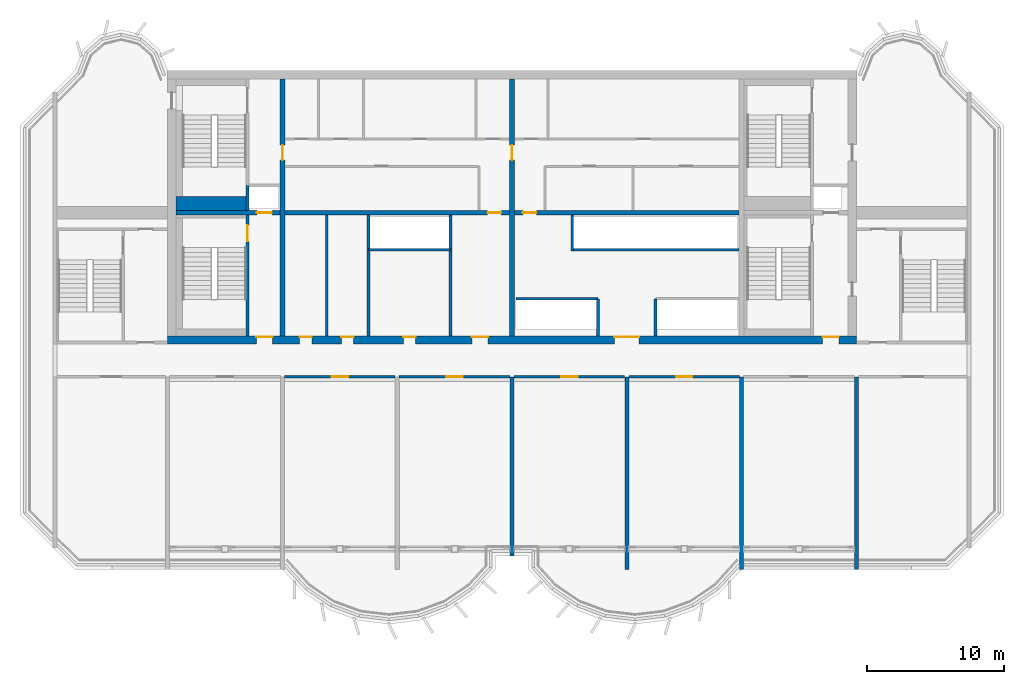
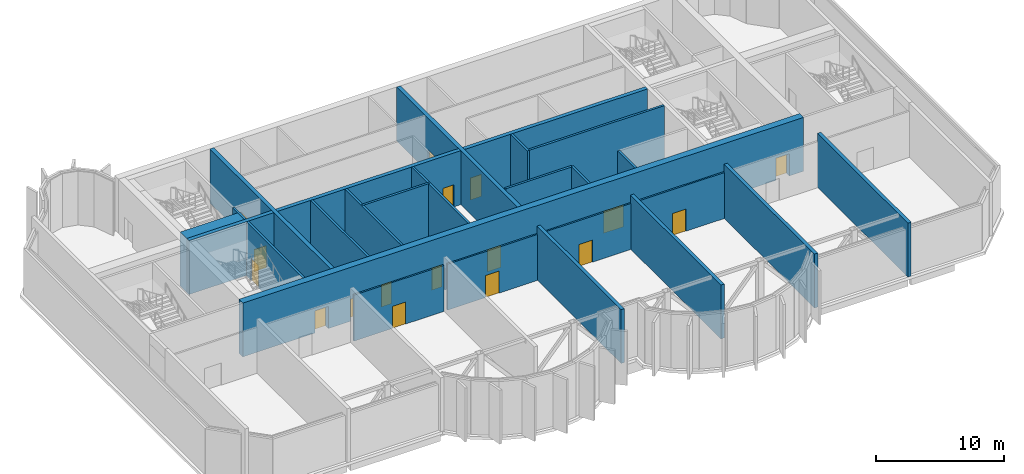
# One storey, part 3 of 11: 26 walls, 17 doors, 17 openings.
"""IFC4 building model written with IfcOpenShell, lengths in metres."""

from ifc_helpers import new_model, si_unit, direction, frame, frame_2d, origin, place, context, subcontext, project, spatial, rectangle, extrude, source, transform, mapped, material, layer, layer_set, type_object, element, fill, save


model = new_model("IFC4")

# Units and contexts
model_context = context("Model", 3, precision=1e-05, world=origin(), true_north=direction((0.0, 1.0)))
body_context = subcontext(model_context, "Body", "Model", "MODEL_VIEW")
ifc_project = project(units=[si_unit("LENGTHUNIT", "METRE"), si_unit("AREAUNIT", "SQUARE_METRE"), si_unit("VOLUMEUNIT", "CUBIC_METRE"), si_unit("PLANEANGLEUNIT", "RADIAN"), si_unit("MASSUNIT", "GRAM", prefix="KILO")], contexts=[model_context])

# Site, building, storey
site_placement = place(None, origin())
site = spatial("IfcSite", under=ifc_project, at=site_placement, CompositionType="ELEMENT")
building_placement = place(site_placement, origin())
building = spatial("IfcBuilding", under=site, at=building_placement, Name="Vanashikhar Sky Hotel", CompositionType="ELEMENT")
storey_placement = place(building_placement, frame((0.0, 0.0, 264.699951171875)))
storey = spatial("IfcBuildingStorey", under=building, at=storey_placement, Name="L64", CompositionType="ELEMENT", Elevation=264.699951171875)

# Walls
ifc_material_1 = material(Name="Concrete M60", Category="concrete")
ifc_layer_1 = layer(ifc_material_1, 0.300048828125)
ifc_layer_set_1 = layer_set([ifc_layer_1], Name="RC shear wall 300 Concrete M60")
wall_type_1 = type_object("IfcWallType", Name="RC shear wall 300 Concrete M60", PredefinedType="SHEAR", material=ifc_layer_set_1)
shared_shape_1 = source(origin(), body_context, "Body", "SweptSolid", [
    extrude(rectangle(XDim=14.10009765625, YDim=0.300048828125, at=frame_2d((7.050048828125, 0.0))), origin(), (0.0, 0.0, 1.0), 5.1201171875),
])
for number, where, z_axis, x_axis, name in (
    (1, (58.800048828125, 5.5, 0.0), (0.0, 0.0, 1.0), (0.0, 1.0, 0.0), "CW-L64-XW08-1"),
    (2, (67.199951171875, 5.5, 0.0), (0.0, 0.0, 1.0), (0.0, 1.0, 0.0), "CW-L64-XW09-1"),
    (3, (75.60009765625, 5.5, 0.0), (0.0, 0.0, 1.0), (0.0, 1.0, 0.0), "CW-L64-XW10-1"),
):
    element("IfcWall", number, at=place(storey_placement, frame(where, z_axis=z_axis, x_axis=x_axis)), inside=storey, type_object=wall_type_1, Name=name, PredefinedType="SHEAR", context=body_context, shape_type="MappedRepresentation", body=[
        mapped(shared_shape_1, transform((0.0, 0.0, 0.0), scale=1.0)),
    ])
shared_shape_2 = source(origin(), body_context, "Body", "SweptSolid", [
    extrude(rectangle(XDim=13.10009765625, YDim=0.300048828125, at=frame_2d((6.550048828125, 0.0))), origin(), (0.0, 0.0, 1.0), 5.1201171875),
])
wall_1_placement = place(storey_placement, frame((50.39990234375, 6.5, 0.0), z_axis=(0.0, 0.0, 1.0), x_axis=(0.0, 1.0, 0.0)))
element("IfcWall", 4, at=wall_1_placement, inside=storey, type_object=wall_type_1, Name="CW-L64-XW07-1", PredefinedType="SHEAR", context=body_context, shape_type="MappedRepresentation", body=[
    mapped(shared_shape_2, transform((0.0, 0.0, 0.0), scale=1.0)),
])

# Wall, openings, doors
ifc_layer_2 = layer(ifc_material_1, 0.60009765625)
ifc_layer_set_2 = layer_set([ifc_layer_2], Name="RC core shell wall 600 Concrete M60")
wall_type_2 = type_object("IfcWallType", Name="RC core shell wall 600 Concrete M60", PredefinedType="SHEAR", material=ifc_layer_set_2)
shared_shape_3 = source(origin(), body_context, "Body", "SweptSolid", [
    extrude(rectangle(XDim=50.400146484375, YDim=0.60009765625, at=frame_2d((25.2001953125, 0.0))), origin(), (0.0, 0.0, 1.0), 5.1201171875),
])
wall_2_placement = place(storey_placement, frame((25.199951171875, 22.300048828125, 0.0), z_axis=(0.0, 0.0, 1.0), x_axis=(1.0, 0.0, 0.0)))
wall_2 = element("IfcWall", 5, at=wall_2_placement, inside=storey, type_object=wall_type_2, Name="KW-L64-KS", PredefinedType="SHEAR", context=body_context, shape_type="MappedRepresentation", body=[
    mapped(shared_shape_3, transform((0.0, 0.0, 0.0), scale=1.0)),
])
shared_shape_4 = source(origin(), body_context, "Body", "SweptSolid", [
    extrude(rectangle(XDim=1.199951171875, YDim=2.10009765625, at=frame_2d((0.60009765625, 1.050048828125))), frame((0.0, 0.31005859375, 0.0), z_axis=(0.0, -1.0, 0.0), x_axis=(1.0, 0.0, 0.0)), (0.0, 0.0, 1.0), 0.6201171875),
])
opening_1_placement = place(wall_2_placement, frame((22.261962890625, 0.0, 0.0)))
opening_1 = element("IfcOpeningElement", 6, at=opening_1_placement, cuts=wall_2, Name="Opening DC-4-B", PredefinedType="OPENING", context=body_context, shape_type="MappedRepresentation", body=[
    mapped(shared_shape_4, transform((0.0, 0.0, 0.0), scale=1.0)),
])
shared_shape_5 = source(origin(), body_context, "Body", "SweptSolid", [
    extrude(rectangle(XDim=0.89990234375, YDim=2.10009765625, at=frame_2d((0.449951171875, 1.050048828125))), frame((0.0, 0.31005859375, 0.0), z_axis=(0.0, -1.0, 0.0), x_axis=(1.0, 0.0, 0.0)), (0.0, 0.0, 1.0), 0.6201171875),
])
opening_2_placement = place(wall_2_placement, frame((17.25, 0.0, 0.0)))
opening_2 = element("IfcOpeningElement", 7, at=opening_2_placement, cuts=wall_2, Name="Opening DC-4-A", PredefinedType="OPENING", context=body_context, shape_type="MappedRepresentation", body=[
    mapped(shared_shape_5, transform((0.0, 0.0, 0.0), scale=1.0)),
])
opening_3_placement = place(wall_2_placement, frame((9.656005859375, 0.0, 0.0)))
opening_3 = element("IfcOpeningElement", 8, at=opening_3_placement, cuts=wall_2, Name="Opening DC-4-A", PredefinedType="OPENING", context=body_context, shape_type="MappedRepresentation", body=[
    mapped(shared_shape_5, transform((0.0, 0.0, 0.0), scale=1.0)),
])
opening_4_placement = place(wall_2_placement, frame((12.718994140625, 0.0, 0.0)))
opening_4 = element("IfcOpeningElement", 9, at=opening_4_placement, cuts=wall_2, Name="Opening DC-4-A", PredefinedType="OPENING", context=body_context, shape_type="MappedRepresentation", body=[
    mapped(shared_shape_5, transform((0.0, 0.0, 0.0), scale=1.0)),
])
shared_shape_6 = source(origin(), body_context, "Body", "SweptSolid", [
    extrude(rectangle(XDim=1.800048828125, YDim=2.10009765625, at=frame_2d((0.89990234375, 1.050048828125))), frame((0.0, 0.31005859375, 0.0), z_axis=(0.0, -1.0, 0.0), x_axis=(1.0, 0.0, 0.0)), (0.0, 0.0, 1.0), 0.6201171875),
])
opening_5_placement = place(wall_2_placement, frame((32.699951171875, 0.0, 0.0)))
opening_5 = element("IfcOpeningElement", 10, at=opening_5_placement, cuts=wall_2, Name="Opening DC-3", PredefinedType="OPENING", context=body_context, shape_type="MappedRepresentation", body=[
    mapped(shared_shape_6, transform((0.0, 0.0, 0.0), scale=1.0)),
])
opening_6_placement = place(wall_2_placement, frame((6.488037109375, 0.0, 0.0)))
opening_6 = element("IfcOpeningElement", 11, at=opening_6_placement, cuts=wall_2, Name="Opening DC-2", PredefinedType="OPENING", context=body_context, shape_type="MappedRepresentation", body=[
    mapped(shared_shape_4, transform((0.0, 0.0, 0.0), scale=1.0)),
])
opening_7_placement = place(wall_2_placement, frame((47.925048828125, 0.0, 0.0)))
opening_7 = element("IfcOpeningElement", 12, at=opening_7_placement, cuts=wall_2, Name="Opening DC-2", PredefinedType="OPENING", context=body_context, shape_type="MappedRepresentation", body=[
    mapped(shared_shape_4, transform((0.0, 0.0, 0.0), scale=1.0)),
])
ifc_material_2 = material(Name="Steel", Category="steel")
door_type_1 = type_object("IfcDoorType", Name="Service door 1200 FD60", OperationType="NOTDEFINED", PredefinedType="DOOR", material=ifc_material_2)
shared_shape_7 = source(origin(), body_context, "Body", "SweptSolid", [
    extrude(rectangle(XDim=1.199951171875, YDim=2.10009765625, at=frame_2d((0.60009765625, 1.050048828125))), frame((0.0, 0.22509765625, 0.0), z_axis=(0.0, -1.0, 0.0), x_axis=(1.0, 0.0, 0.0)), (0.0, 0.0, 1.0), 0.050048828125),
])
door_1_placement = place(opening_1_placement, origin())
door_1 = element("IfcDoor", 13, at=door_1_placement, inside=storey, type_object=door_type_1, Name="Service door 1200 FD60", OperationType="SINGLE_SWING_RIGHT", OverallHeight=2.10009765625, OverallWidth=1.199951171875, PredefinedType="DOOR", context=body_context, shape_type="MappedRepresentation", body=[
    mapped(shared_shape_7, transform((0.0, 0.0, 0.0), scale=1.0)),
])
fill(opening_1, door_1)
door_type_2 = type_object("IfcDoorType", Name="Firefighting lobby door 1200 FD120", OperationType="NOTDEFINED", PredefinedType="DOOR", material=ifc_material_2)
door_2_placement = place(opening_6_placement, origin())
door_2 = element("IfcDoor", 14, at=door_2_placement, inside=storey, type_object=door_type_2, Name="Firefighting lobby door 1200 FD120", OperationType="SINGLE_SWING_LEFT", OverallHeight=2.10009765625, OverallWidth=1.199951171875, PredefinedType="DOOR", context=body_context, shape_type="MappedRepresentation", body=[
    mapped(shared_shape_7, transform((0.0, 0.0, 0.0), scale=1.0)),
])
fill(opening_6, door_2)
door_3_placement = place(opening_7_placement, origin())
door_3 = element("IfcDoor", 15, at=door_3_placement, inside=storey, type_object=door_type_2, Name="Firefighting lobby door 1200 FD120", OperationType="SINGLE_SWING_LEFT", OverallHeight=2.10009765625, OverallWidth=1.199951171875, PredefinedType="DOOR", context=body_context, shape_type="MappedRepresentation", body=[
    mapped(shared_shape_7, transform((0.0, 0.0, 0.0), scale=1.0)),
])
fill(opening_7, door_3)
door_type_3 = type_object("IfcDoorType", Name="Service door 900 FD60", OperationType="NOTDEFINED", PredefinedType="DOOR", material=ifc_material_2)
shared_shape_8 = source(origin(), body_context, "Body", "SweptSolid", [
    extrude(rectangle(XDim=0.89990234375, YDim=2.10009765625, at=frame_2d((0.449951171875, 1.050048828125))), frame((0.0, 0.22509765625, 0.0), z_axis=(0.0, -1.0, 0.0), x_axis=(1.0, 0.0, 0.0)), (0.0, 0.0, 1.0), 0.050048828125),
])
door_4_placement = place(opening_2_placement, origin())
door_4 = element("IfcDoor", 16, at=door_4_placement, inside=storey, type_object=door_type_3, Name="Service door 900 FD60", OperationType="SINGLE_SWING_RIGHT", OverallHeight=2.10009765625, OverallWidth=0.89990234375, PredefinedType="DOOR", context=body_context, shape_type="MappedRepresentation", body=[
    mapped(shared_shape_8, transform((0.0, 0.0, 0.0), scale=1.0)),
])
fill(opening_2, door_4)
door_5_placement = place(opening_3_placement, origin())
door_5 = element("IfcDoor", 17, at=door_5_placement, inside=storey, type_object=door_type_3, Name="Service door 900 FD60", OperationType="SINGLE_SWING_LEFT", OverallHeight=2.10009765625, OverallWidth=0.89990234375, PredefinedType="DOOR", context=body_context, shape_type="MappedRepresentation", body=[
    mapped(shared_shape_8, transform((0.0, 0.0, 0.0), scale=1.0)),
])
fill(opening_3, door_5)
door_6_placement = place(opening_4_placement, origin())
door_6 = element("IfcDoor", 18, at=door_6_placement, inside=storey, type_object=door_type_3, Name="Service door 900 FD60", OperationType="SINGLE_SWING_LEFT", OverallHeight=2.10009765625, OverallWidth=0.89990234375, PredefinedType="DOOR", context=body_context, shape_type="MappedRepresentation", body=[
    mapped(shared_shape_8, transform((0.0, 0.0, 0.0), scale=1.0)),
])
fill(opening_4, door_6)
ifc_material_3 = material(Name="Glass", Category="glass")
door_type_4 = type_object("IfcDoorType", Name="Lift lobby entrance door 1800 FD60", OperationType="NOTDEFINED", PredefinedType="DOOR", material=ifc_material_3)
shared_shape_9 = source(origin(), body_context, "Body", "SweptSolid", [
    extrude(rectangle(XDim=1.800048828125, YDim=2.10009765625, at=frame_2d((0.89990234375, 1.050048828125))), frame((0.0, 0.22509765625, 0.0), z_axis=(0.0, -1.0, 0.0), x_axis=(1.0, 0.0, 0.0)), (0.0, 0.0, 1.0), 0.050048828125),
])
door_7_placement = place(opening_5_placement, origin())
door_7 = element("IfcDoor", 19, at=door_7_placement, inside=storey, type_object=door_type_4, Name="Lift lobby entrance door 1800 FD60", OperationType="DOUBLE_DOOR_SINGLE_SWING", OverallHeight=2.10009765625, OverallWidth=1.800048828125, PredefinedType="DOOR", context=body_context, shape_type="MappedRepresentation", body=[
    mapped(shared_shape_9, transform((0.0, 0.0, 0.0), scale=1.0)),
])
fill(opening_5, door_7)

# Wall, opening, door
ifc_layer_3 = layer(ifc_material_1, 0.35009765625)
ifc_layer_set_3 = layer_set([ifc_layer_3], Name="RC core inner wall 350 Concrete M60")
wall_type_3 = type_object("IfcWallType", Name="RC core inner wall 350 Concrete M60", PredefinedType="SHEAR", material=ifc_layer_set_3)
shared_shape_10 = source(origin(), body_context, "Body", "SweptSolid", [
    extrude(rectangle(XDim=18.7998046875, YDim=0.35009765625, at=frame_2d((9.39990234375, 0.0))), origin(), (0.0, 0.0, 1.0), 5.1201171875),
])
wall_3_placement = place(storey_placement, frame((33.60009765625, 22.60009765625, 0.0), z_axis=(0.0, 0.0, 1.0), x_axis=(0.0, 1.0, 0.0)))
wall_3 = element("IfcWall", 20, at=wall_3_placement, inside=storey, type_object=wall_type_3, Name="KW-L64-KX1", PredefinedType="SHEAR", context=body_context, shape_type="MappedRepresentation", body=[
    mapped(shared_shape_10, transform((0.0, 0.0, 0.0), scale=1.0)),
])
shared_shape_11 = source(origin(), body_context, "Body", "SweptSolid", [
    extrude(rectangle(XDim=1.10009765625, YDim=2.10009765625, at=frame_2d((0.550048828125, 1.050048828125))), frame((0.0, 0.18505859375, 0.0), z_axis=(0.0, -1.0, 0.0), x_axis=(1.0, 0.0, 0.0)), (0.0, 0.0, 1.0), 0.3701171875),
])
opening_8_placement = place(wall_3_placement, frame((12.85009765625, 0.0, 0.0)))
opening_8 = element("IfcOpeningElement", 21, at=opening_8_placement, cuts=wall_3, Name="Opening DC-4-C", PredefinedType="OPENING", context=body_context, shape_type="MappedRepresentation", body=[
    mapped(shared_shape_11, transform((0.0, 0.0, 0.0), scale=1.0)),
])
door_type_5 = type_object("IfcDoorType", Name="Service door 1100 FD60", OperationType="NOTDEFINED", PredefinedType="DOOR", material=ifc_material_2)
shared_shape_12 = source(origin(), body_context, "Body", "SweptSolid", [
    extrude(rectangle(XDim=1.10009765625, YDim=2.10009765625, at=frame_2d((0.550048828125, 1.050048828125))), frame((0.0, 0.02490234375, 0.0), z_axis=(0.0, -1.0, 0.0), x_axis=(1.0, 0.0, 0.0)), (0.0, 0.0, 1.0), 0.050048828125),
])
door_8_placement = place(opening_8_placement, origin())
door_8 = element("IfcDoor", 22, at=door_8_placement, inside=storey, type_object=door_type_5, Name="Service door 1100 FD60", OperationType="SINGLE_SWING_RIGHT", OverallHeight=2.10009765625, OverallWidth=1.10009765625, PredefinedType="DOOR", context=body_context, shape_type="MappedRepresentation", body=[
    mapped(shared_shape_12, transform((0.0, 0.0, 0.0), scale=1.0)),
])
fill(opening_8, door_8)

wall_4_placement = place(storey_placement, frame((50.39990234375, 22.60009765625, 0.0), z_axis=(0.0, 0.0, 1.0), x_axis=(0.0, 1.0, 0.0)))
wall_4 = element("IfcWall", 23, at=wall_4_placement, inside=storey, type_object=wall_type_3, Name="KW-L64-KX2", PredefinedType="SHEAR", context=body_context, shape_type="MappedRepresentation", body=[
    mapped(shared_shape_10, transform((0.0, 0.0, 0.0), scale=1.0)),
])
opening_9_placement = place(wall_4_placement, frame((12.85009765625, 0.0, 0.0)))
opening_9 = element("IfcOpeningElement", 24, at=opening_9_placement, cuts=wall_4, Name="Opening DC-4-C", PredefinedType="OPENING", context=body_context, shape_type="MappedRepresentation", body=[
    mapped(shared_shape_11, transform((0.0, 0.0, 0.0), scale=1.0)),
])
door_9_placement = place(opening_9_placement, origin())
door_9 = element("IfcDoor", 25, at=door_9_placement, inside=storey, type_object=door_type_5, Name="Service door 1100 FD60", OperationType="SINGLE_SWING_LEFT", OverallHeight=2.10009765625, OverallWidth=1.10009765625, PredefinedType="DOOR", context=body_context, shape_type="MappedRepresentation", body=[
    mapped(shared_shape_12, transform((0.0, 0.0, 0.0), scale=1.0)),
])
fill(opening_9, door_9)

shared_shape_13 = source(origin(), body_context, "Body", "SweptSolid", [
    extrude(rectangle(XDim=7.625, YDim=0.35009765625, at=frame_2d((3.8125, 0.0))), origin(), (0.0, 0.0, 1.0), 5.1201171875),
])
wall_5_placement = place(storey_placement, frame((25.800048828125, 31.60009765625, 0.0), z_axis=(0.0, 0.0, 1.0), x_axis=(1.0, 0.0, 0.0)))
wall_5 = element("IfcWall", 26, at=wall_5_placement, inside=storey, type_object=wall_type_3, Name="KW-L64-KY1", PredefinedType="SHEAR", context=body_context, shape_type="MappedRepresentation", body=[
    mapped(shared_shape_13, transform((0.0, 0.0, 0.0), scale=1.0)),
])
opening_10_placement = place(wall_5_placement, frame((5.93798828125, 0.0, 0.0)))
opening_10 = element("IfcOpeningElement", 27, at=opening_10_placement, cuts=wall_5, Name="Opening LD", PredefinedType="OPENING", context=body_context, shape_type="MappedRepresentation", body=[
    mapped(shared_shape_11, transform((0.0, 0.0, 0.0), scale=1.0)),
])
ifc_material_4 = material(Name="Stainless steel", Category="steel")
door_type_6 = type_object("IfcDoorType", Name="Lift landing door 1100", OperationType="NOTDEFINED", PredefinedType="DOOR", material=ifc_material_4)
door_10_placement = place(opening_10_placement, origin())
door_10 = element("IfcDoor", 28, at=door_10_placement, inside=storey, type_object=door_type_6, Name="Lift landing door 1100", OperationType="SLIDING_TO_LEFT", OverallHeight=2.10009765625, OverallWidth=1.10009765625, PredefinedType="DOOR", context=body_context, shape_type="MappedRepresentation", body=[
    mapped(shared_shape_12, transform((0.0, 0.0, 0.0), scale=1.0)),
])
fill(opening_10, door_10)

shared_shape_14 = source(origin(), body_context, "Body", "SweptSolid", [
    extrude(rectangle(XDim=16.4501953125, YDim=0.35009765625, at=frame_2d((8.22509765625, 0.0))), origin(), (0.0, 0.0, 1.0), 5.1201171875),
])
wall_6_placement = place(storey_placement, frame((33.77490234375, 31.60009765625, 0.0), z_axis=(0.0, 0.0, 1.0), x_axis=(1.0, 0.0, 0.0)))
wall_6 = element("IfcWall", 29, at=wall_6_placement, inside=storey, type_object=wall_type_3, Name="KW-L64-KY2", PredefinedType="SHEAR", context=body_context, shape_type="MappedRepresentation", body=[
    mapped(shared_shape_14, transform((0.0, 0.0, 0.0), scale=1.0)),
])
shared_shape_15 = source(origin(), body_context, "Body", "SweptSolid", [
    extrude(rectangle(XDim=1.0, YDim=2.10009765625, at=frame_2d((0.5, 1.050048828125))), frame((0.0, 0.18505859375, 0.0), z_axis=(0.0, -1.0, 0.0), x_axis=(1.0, 0.0, 0.0)), (0.0, 0.0, 1.0), 0.3701171875),
])
opening_11_placement = place(wall_6_placement, frame((14.8369140625, 0.0, 0.0)))
opening_11 = element("IfcOpeningElement", 30, at=opening_11_placement, cuts=wall_6, Name="Opening DC-4", PredefinedType="OPENING", context=body_context, shape_type="MappedRepresentation", body=[
    mapped(shared_shape_15, transform((0.0, 0.0, 0.0), scale=1.0)),
])
door_type_7 = type_object("IfcDoorType", Name="Service door 1000 FD60", OperationType="NOTDEFINED", PredefinedType="DOOR", material=ifc_material_2)
shared_shape_16 = source(origin(), body_context, "Body", "SweptSolid", [
    extrude(rectangle(XDim=1.0, YDim=2.10009765625, at=frame_2d((0.5, 1.050048828125))), frame((0.0, 0.02490234375, 0.0), z_axis=(0.0, -1.0, 0.0), x_axis=(1.0, 0.0, 0.0)), (0.0, 0.0, 1.0), 0.050048828125),
])
door_11_placement = place(opening_11_placement, origin())
door_11 = element("IfcDoor", 31, at=door_11_placement, inside=storey, type_object=door_type_7, Name="Service door 1000 FD60", OperationType="SINGLE_SWING_LEFT", OverallHeight=2.10009765625, OverallWidth=1.0, PredefinedType="DOOR", context=body_context, shape_type="MappedRepresentation", body=[
    mapped(shared_shape_16, transform((0.0, 0.0, 0.0), scale=1.0)),
])
fill(opening_11, door_11)

shared_shape_17 = source(origin(), body_context, "Body", "SweptSolid", [
    extrude(rectangle(XDim=16.449951171875, YDim=0.35009765625, at=frame_2d((8.22509765625, 0.0))), origin(), (0.0, 0.0, 1.0), 5.1201171875),
])
wall_7_placement = place(storey_placement, frame((50.574951171875, 31.60009765625, 0.0), z_axis=(0.0, 0.0, 1.0), x_axis=(1.0, 0.0, 0.0)))
wall_7 = element("IfcWall", 32, at=wall_7_placement, inside=storey, type_object=wall_type_3, Name="KW-L64-KY3", PredefinedType="SHEAR", context=body_context, shape_type="MappedRepresentation", body=[
    mapped(shared_shape_17, transform((0.0, 0.0, 0.0), scale=1.0)),
])
opening_12_placement = place(wall_7_placement, frame((0.613037109375, 0.0, 0.0)))
opening_12 = element("IfcOpeningElement", 33, at=opening_12_placement, cuts=wall_7, Name="Opening DC-4", PredefinedType="OPENING", context=body_context, shape_type="MappedRepresentation", body=[
    mapped(shared_shape_15, transform((0.0, 0.0, 0.0), scale=1.0)),
])
door_12_placement = place(opening_12_placement, origin())
door_12 = element("IfcDoor", 34, at=door_12_placement, inside=storey, type_object=door_type_7, Name="Service door 1000 FD60", OperationType="SINGLE_SWING_LEFT", OverallHeight=2.10009765625, OverallWidth=1.0, PredefinedType="DOOR", context=body_context, shape_type="MappedRepresentation", body=[
    mapped(shared_shape_16, transform((0.0, 0.0, 0.0), scale=1.0)),
])
fill(opening_12, door_12)

# Walls
ifc_material_5 = material(Name="Concrete M40", Category="concrete")
ifc_layer_4 = layer(ifc_material_5, 0.199951171875)
ifc_layer_set_4 = layer_set([ifc_layer_4], Name="Shaft wall 200")
wall_type_4 = type_object("IfcWallType", Name="Shaft wall 200", PredefinedType="SOLIDWALL", material=ifc_layer_set_4)
shared_shape_18 = source(origin(), body_context, "Body", "SweptSolid", [
    extrude(rectangle(XDim=6.0, YDim=0.199951171875, at=frame_2d((3.0, 0.0))), origin(), (0.0, 0.0, 1.0), 5.1201171875),
])
for number, where, z_axis, x_axis, name in (
    (35, (39.89990234375, 28.89990234375, 0.0), (0.0, 0.0, 1.0), (1.0, 0.0, 0.0), "Shaft wall 200"),
    (36, (56.699951171875, 25.300048828125, 0.0), (0.0, 0.0, 1.0), (-1.0, 0.0, 0.0), "Shaft wall 200"),
):
    element("IfcWall", number, at=place(storey_placement, frame(where, z_axis=z_axis, x_axis=x_axis)), inside=storey, type_object=wall_type_4, Name=name, PredefinedType="SOLIDWALL", context=body_context, shape_type="MappedRepresentation", body=[
        mapped(shared_shape_18, transform((0.0, 0.0, 0.0), scale=1.0)),
    ])
ifc_material_6 = material(Name="Gypsum board partition")
ifc_layer_5 = layer(ifc_material_6, 0.14990234375)
ifc_layer_set_5 = layer_set([ifc_layer_5], Name="Service partition 150")
wall_type_5 = type_object("IfcWallType", Name="Service partition 150", PredefinedType="PARTITIONING", material=ifc_layer_set_5)
shared_shape_19 = source(origin(), body_context, "Body", "SweptSolid", [
    extrude(rectangle(XDim=8.824951171875, YDim=0.199951171875, at=frame_2d((4.41259765625, 0.0))), origin(), (0.0, 0.0, 1.0), 5.1201171875),
])
for number, where, z_axis, x_axis, name in (
    (37, (45.89990234375, 22.60009765625, 0.0), (0.0, 0.0, 1.0), (0.0, 1.0, 0.0), "Service partition 150"),
    (38, (39.89990234375, 22.60009765625, 0.0), (0.0, 0.0, 1.0), (0.0, 1.0, 0.0), "Service partition 150"),
    (39, (36.8369140625, 22.60009765625, 0.0), (0.0, 0.0, 1.0), (0.0, 1.0, 0.0), "Service partition 150"),
):
    element("IfcWall", number, at=place(storey_placement, frame(where, z_axis=z_axis, x_axis=x_axis)), inside=storey, type_object=wall_type_5, Name=name, PredefinedType="PARTITIONING", context=body_context, shape_type="MappedRepresentation", body=[
        mapped(shared_shape_19, transform((0.0, 0.0, 0.0), scale=1.0)),
    ])
shared_shape_20 = source(origin(), body_context, "Body", "SweptSolid", [
    extrude(rectangle(XDim=12.125, YDim=0.199951171875, at=frame_2d((6.0625, 0.0))), origin(), (0.0, 0.0, 1.0), 5.1201171875),
])
wall_8_placement = place(storey_placement, frame((67.02490234375, 28.89990234375, 0.0), z_axis=(0.0, 0.0, 1.0), x_axis=(-1.0, 0.0, 0.0)))
element("IfcWall", 40, at=wall_8_placement, inside=storey, type_object=wall_type_4, Name="Shaft wall 200", PredefinedType="SOLIDWALL", context=body_context, shape_type="MappedRepresentation", body=[
    mapped(shared_shape_20, transform((0.0, 0.0, 0.0), scale=1.0)),
])
shared_shape_21 = source(origin(), body_context, "Body", "SweptSolid", [
    extrude(rectangle(XDim=2.699951171875, YDim=0.199951171875, at=frame_2d((1.35009765625, 0.0))), origin(), (0.0, 0.0, 1.0), 5.1201171875),
])
for number, where, z_axis, x_axis, name in (
    (41, (60.89990234375, 22.60009765625, 0.0), (0.0, 0.0, 1.0), (0.0, 1.0, 0.0), "Shaft wall 200"),
    (42, (56.699951171875, 22.60009765625, 0.0), (0.0, 0.0, 1.0), (0.0, 1.0, 0.0), "Shaft wall 200"),
):
    element("IfcWall", number, at=place(storey_placement, frame(where, z_axis=z_axis, x_axis=x_axis)), inside=storey, type_object=wall_type_4, Name=name, PredefinedType="SOLIDWALL", context=body_context, shape_type="MappedRepresentation", body=[
        mapped(shared_shape_21, transform((0.0, 0.0, 0.0), scale=1.0)),
    ])
shared_shape_22 = source(origin(), body_context, "Body", "SweptSolid", [
    extrude(rectangle(XDim=2.625, YDim=0.199951171875, at=frame_2d((1.3125, 0.0))), origin(), (0.0, 0.0, 1.0), 5.1201171875),
])
wall_9_placement = place(storey_placement, frame((54.800048828125, 28.800048828125, 0.0), z_axis=(0.0, 0.0, 1.0), x_axis=(0.0, 1.0, 0.0)))
element("IfcWall", 43, at=wall_9_placement, inside=storey, type_object=wall_type_4, Name="Shaft wall 200", PredefinedType="SOLIDWALL", context=body_context, shape_type="MappedRepresentation", body=[
    mapped(shared_shape_22, transform((0.0, 0.0, 0.0), scale=1.0)),
])

# Wall, opening, door
ifc_material_7 = material(Name="Concrete M50", Category="concrete")
ifc_layer_6 = layer(ifc_material_7, 0.199951171875)
ifc_layer_set_6 = layer_set([ifc_layer_6], Name="Stair wall 200")
wall_type_6 = type_object("IfcWallType", Name="Stair wall 200", PredefinedType="SOLIDWALL", material=ifc_layer_set_6)
shared_shape_23 = source(origin(), body_context, "Body", "SweptSolid", [
    extrude(rectangle(XDim=8.824951171875, YDim=0.199951171875, at=frame_2d((4.41259765625, 0.0))), origin(), (0.0, 0.0, 1.0), 5.1201171875),
])
wall_10_placement = place(storey_placement, frame((31.050048828125, 22.60009765625, 0.0), z_axis=(0.0, 0.0, 1.0), x_axis=(0.0, 1.0, 0.0)))
wall_10 = element("IfcWall", 44, at=wall_10_placement, inside=storey, type_object=wall_type_6, Name="Stair wall 200", PredefinedType="SOLIDWALL", context=body_context, shape_type="MappedRepresentation", body=[
    mapped(shared_shape_23, transform((0.0, 0.0, 0.0), scale=1.0)),
])
shared_shape_24 = source(origin(), body_context, "Body", "SweptSolid", [
    extrude(rectangle(XDim=1.199951171875, YDim=2.10009765625, at=frame_2d((0.60009765625, 1.050048828125))), frame((0.0, 0.10986328125, 0.0), z_axis=(0.0, -1.0, 0.0), x_axis=(1.0, 0.0, 0.0)), (0.0, 0.0, 1.0), 0.219970703125),
])
opening_13_placement = place(wall_10_placement, frame((6.89990234375, 0.0, 0.0)))
opening_13 = element("IfcOpeningElement", 45, at=opening_13_placement, cuts=wall_10, Name="Opening DC-1", PredefinedType="OPENING", context=body_context, shape_type="MappedRepresentation", body=[
    mapped(shared_shape_24, transform((0.0, 0.0, 0.0), scale=1.0)),
])
door_type_8 = type_object("IfcDoorType", Name="Stair door 1200 FD120", OperationType="NOTDEFINED", PredefinedType="DOOR", material=ifc_material_2)
shared_shape_25 = source(origin(), body_context, "Body", "SweptSolid", [
    extrude(rectangle(XDim=1.199951171875, YDim=2.10009765625, at=frame_2d((0.60009765625, 1.050048828125))), frame((0.0, 0.02490234375, 0.0), z_axis=(0.0, -1.0, 0.0), x_axis=(1.0, 0.0, 0.0)), (0.0, 0.0, 1.0), 0.050048828125),
])
door_13_placement = place(opening_13_placement, origin())
door_13 = element("IfcDoor", 46, at=door_13_placement, inside=storey, type_object=door_type_8, Name="Stair door 1200 FD120", OperationType="SINGLE_SWING_RIGHT", OverallHeight=2.10009765625, OverallWidth=1.199951171875, PredefinedType="DOOR", context=body_context, shape_type="MappedRepresentation", body=[
    mapped(shared_shape_25, transform((0.0, 0.0, 0.0), scale=1.0)),
])
fill(opening_13, door_13)

# Walls
shared_shape_26 = source(origin(), body_context, "Body", "SweptSolid", [
    extrude(rectangle(XDim=1.8251953125, YDim=0.199951171875, at=frame_2d((0.91259765625, 0.0))), origin(), (0.0, 0.0, 1.0), 5.1201171875),
])
wall_11_placement = place(storey_placement, frame((31.050048828125, 31.77490234375, 0.0), z_axis=(0.0, 0.0, 1.0), x_axis=(0.0, 1.0, 0.0)))
element("IfcWall", 47, at=wall_11_placement, inside=storey, type_object=wall_type_4, Name="Shaft wall 200", PredefinedType="SOLIDWALL", context=body_context, shape_type="MappedRepresentation", body=[
    mapped(shared_shape_26, transform((0.0, 0.0, 0.0), scale=1.0)),
])
ifc_layer_7 = layer(ifc_material_7, 1.02490234375)
ifc_layer_set_7 = layer_set([ifc_layer_7], Name="Stair infill wall 1025")
wall_type_7 = type_object("IfcWallType", Name="Stair infill wall 1025", PredefinedType="SOLIDWALL", material=ifc_layer_set_7)
shared_shape_27 = source(origin(), body_context, "Body", "SweptSolid", [
    extrude(rectangle(XDim=5.14990234375, YDim=1.02490234375, at=frame_2d((2.574951171875, 0.0))), origin(), (0.0, 0.0, 1.0), 5.1201171875),
])
wall_12_placement = place(storey_placement, frame((25.800048828125, 32.287109375, 0.0), z_axis=(0.0, 0.0, 1.0), x_axis=(1.0, 0.0, 0.0)))
element("IfcWall", 48, at=wall_12_placement, inside=storey, type_object=wall_type_7, Name="Stair infill wall 1025", PredefinedType="SOLIDWALL", context=body_context, shape_type="MappedRepresentation", body=[
    mapped(shared_shape_27, transform((0.0, 0.0, 0.0), scale=1.0)),
])

# Wall, opening, door
shared_shape_28 = source(origin(), body_context, "Body", "SweptSolid", [
    extrude(rectangle(XDim=8.10009765625, YDim=0.14990234375, at=frame_2d((4.050048828125, 0.0))), origin(), (0.0, 0.0, 1.0), 4.3701171875),
])
wall_13_placement = place(storey_placement, frame((33.75, 19.60009765625, 0.0), z_axis=(0.0, 0.0, 1.0), x_axis=(1.0, 0.0, 0.0)))
wall_13 = element("IfcWall", 49, at=wall_13_placement, inside=storey, type_object=wall_type_5, Name="Service partition 150", PredefinedType="PARTITIONING", context=body_context, shape_type="MappedRepresentation", body=[
    mapped(shared_shape_28, transform((0.0, 0.0, 0.0), scale=1.0)),
])
shared_shape_29 = source(origin(), body_context, "Body", "SweptSolid", [
    extrude(rectangle(XDim=1.199951171875, YDim=2.10009765625, at=frame_2d((0.60009765625, 1.050048828125))), frame((0.0, 0.0849609375, 0.0), z_axis=(0.0, -1.0, 0.0), x_axis=(1.0, 0.0, 0.0)), (0.0, 0.0, 1.0), 0.169921875),
])
opening_14_placement = place(wall_13_placement, frame((3.449951171875, 0.0, 0.0)))
opening_14 = element("IfcOpeningElement", 50, at=opening_14_placement, cuts=wall_13, Name="Opening DC-4-D", PredefinedType="OPENING", context=body_context, shape_type="MappedRepresentation", body=[
    mapped(shared_shape_29, transform((0.0, 0.0, 0.0), scale=1.0)),
])
door_type_9 = type_object("IfcDoorType", Name="Service door 1200 FD120", OperationType="NOTDEFINED", PredefinedType="DOOR", material=ifc_material_2)
door_14_placement = place(opening_14_placement, origin())
door_14 = element("IfcDoor", 51, at=door_14_placement, inside=storey, type_object=door_type_9, Name="Service door 1200 FD120", OperationType="SINGLE_SWING_LEFT", OverallHeight=2.10009765625, OverallWidth=1.199951171875, PredefinedType="DOOR", context=body_context, shape_type="MappedRepresentation", body=[
    mapped(shared_shape_25, transform((0.0, 0.0, 0.0), scale=1.0)),
])
fill(opening_14, door_14)

wall_14_placement = place(storey_placement, frame((42.14990234375, 19.60009765625, 0.0), z_axis=(0.0, 0.0, 1.0), x_axis=(1.0, 0.0, 0.0)))
wall_14 = element("IfcWall", 52, at=wall_14_placement, inside=storey, type_object=wall_type_5, Name="Service partition 150", PredefinedType="PARTITIONING", context=body_context, shape_type="MappedRepresentation", body=[
    mapped(shared_shape_28, transform((0.0, 0.0, 0.0), scale=1.0)),
])
opening_15_placement = place(wall_14_placement, frame((3.449951171875, 0.0, 0.0)))
opening_15 = element("IfcOpeningElement", 53, at=opening_15_placement, cuts=wall_14, Name="Opening DC-4-D", PredefinedType="OPENING", context=body_context, shape_type="MappedRepresentation", body=[
    mapped(shared_shape_29, transform((0.0, 0.0, 0.0), scale=1.0)),
])
door_15_placement = place(opening_15_placement, origin())
door_15 = element("IfcDoor", 54, at=door_15_placement, inside=storey, type_object=door_type_9, Name="Service door 1200 FD120", OperationType="SINGLE_SWING_RIGHT", OverallHeight=2.10009765625, OverallWidth=1.199951171875, PredefinedType="DOOR", context=body_context, shape_type="MappedRepresentation", body=[
    mapped(shared_shape_25, transform((0.0, 0.0, 0.0), scale=1.0)),
])
fill(opening_15, door_15)

wall_15_placement = place(storey_placement, frame((58.949951171875, 19.60009765625, 0.0), z_axis=(0.0, 0.0, 1.0), x_axis=(1.0, 0.0, 0.0)))
wall_15 = element("IfcWall", 55, at=wall_15_placement, inside=storey, type_object=wall_type_5, Name="Service partition 150", PredefinedType="PARTITIONING", context=body_context, shape_type="MappedRepresentation", body=[
    mapped(shared_shape_28, transform((0.0, 0.0, 0.0), scale=1.0)),
])
opening_16_placement = place(wall_15_placement, frame((3.449951171875, 0.0, 0.0)))
opening_16 = element("IfcOpeningElement", 56, at=opening_16_placement, cuts=wall_15, Name="Opening DC-4-D", PredefinedType="OPENING", context=body_context, shape_type="MappedRepresentation", body=[
    mapped(shared_shape_29, transform((0.0, 0.0, 0.0), scale=1.0)),
])
door_16_placement = place(opening_16_placement, origin())
door_16 = element("IfcDoor", 57, at=door_16_placement, inside=storey, type_object=door_type_9, Name="Service door 1200 FD120", OperationType="SINGLE_SWING_RIGHT", OverallHeight=2.10009765625, OverallWidth=1.199951171875, PredefinedType="DOOR", context=body_context, shape_type="MappedRepresentation", body=[
    mapped(shared_shape_25, transform((0.0, 0.0, 0.0), scale=1.0)),
])
fill(opening_16, door_16)

shared_shape_30 = source(origin(), body_context, "Body", "SweptSolid", [
    extrude(rectangle(XDim=8.099853515625, YDim=0.14990234375, at=frame_2d((4.0498046875, 0.0))), origin(), (0.0, 0.0, 1.0), 4.3701171875),
])
wall_16_placement = place(storey_placement, frame((50.550048828125, 19.60009765625, 0.0), z_axis=(0.0, 0.0, 1.0), x_axis=(1.0, 0.0, 0.0)))
wall_16 = element("IfcWall", 58, at=wall_16_placement, inside=storey, type_object=wall_type_5, Name="Service partition 150", PredefinedType="PARTITIONING", context=body_context, shape_type="MappedRepresentation", body=[
    mapped(shared_shape_30, transform((0.0, 0.0, 0.0), scale=1.0)),
])
opening_17_placement = place(wall_16_placement, frame((3.449951171875, 0.0, 0.0)))
opening_17 = element("IfcOpeningElement", 59, at=opening_17_placement, cuts=wall_16, Name="Opening DC-4-D", PredefinedType="OPENING", context=body_context, shape_type="MappedRepresentation", body=[
    mapped(shared_shape_29, transform((0.0, 0.0, 0.0), scale=1.0)),
])
door_17_placement = place(opening_17_placement, origin())
door_17 = element("IfcDoor", 60, at=door_17_placement, inside=storey, type_object=door_type_9, Name="Service door 1200 FD120", OperationType="SINGLE_SWING_LEFT", OverallHeight=2.10009765625, OverallWidth=1.199951171875, PredefinedType="DOOR", context=body_context, shape_type="MappedRepresentation", body=[
    mapped(shared_shape_25, transform((0.0, 0.0, 0.0), scale=1.0)),
])
fill(opening_17, door_17)

save(model, "model.ifc")
